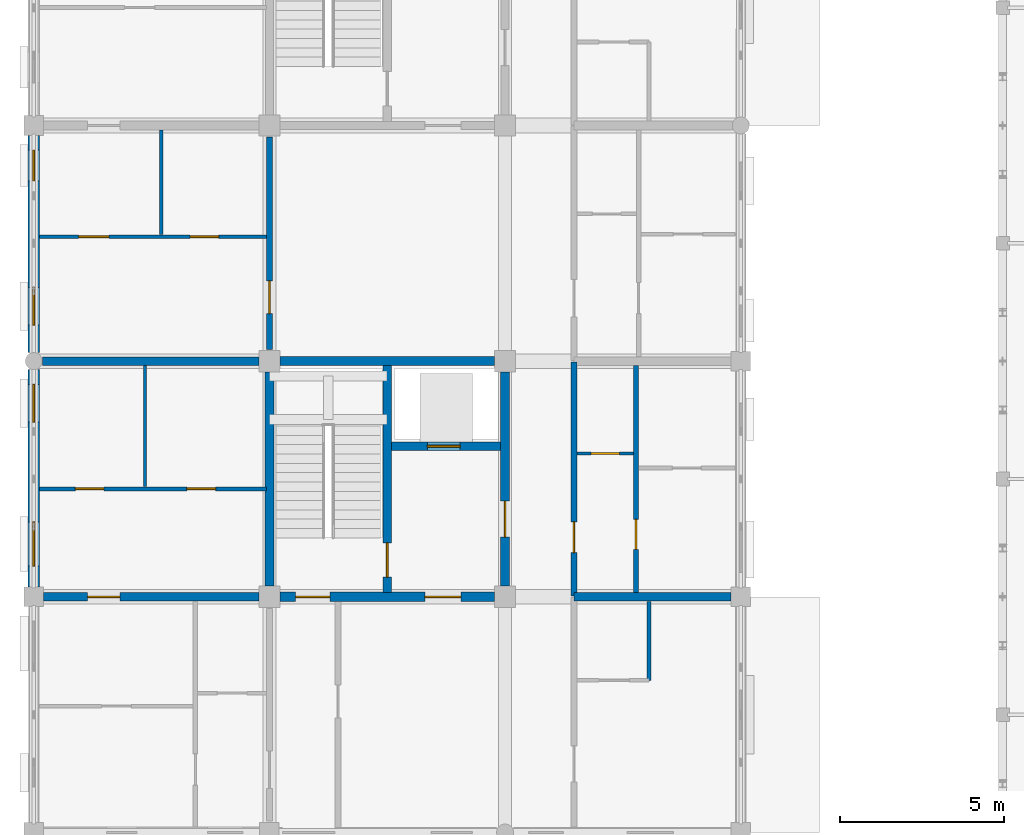
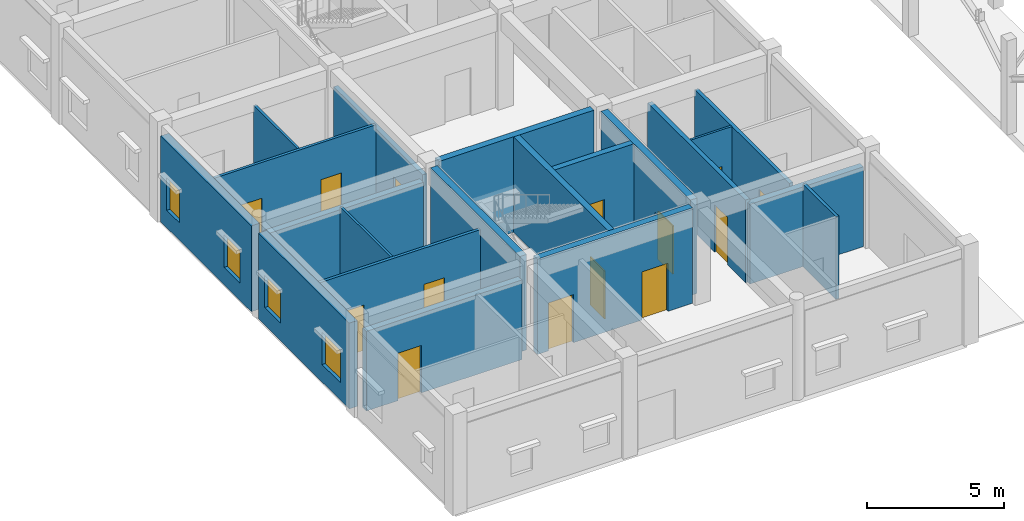
# One storey, part 105 of 138: 20 walls, 14 doors, 4 windows, 18 openings.
"""IFC4 building model written with IfcOpenShell, lengths in metres."""

from ifc_helpers import new_model, si_unit, direction, frame, frame_2d, origin, place, context, subcontext, project, spatial, rectangle, extrude, material, layer, layer_set, type_object, element, fill, save


model = new_model("IFC4")

# Units and contexts
model_context = context("Model", 3, precision=1e-05, world=origin(), true_north=direction((0.0, 1.0)))
body_context = subcontext(model_context, "Body", "Model", "MODEL_VIEW")
ifc_project = project(units=[si_unit("LENGTHUNIT", "METRE"), si_unit("AREAUNIT", "SQUARE_METRE"), si_unit("VOLUMEUNIT", "CUBIC_METRE"), si_unit("PLANEANGLEUNIT", "RADIAN"), si_unit("MASSUNIT", "GRAM", prefix="KILO"), si_unit("THERMODYNAMICTEMPERATUREUNIT", "KELVIN"), si_unit("POWERUNIT", "WATT")], contexts=[model_context])

# Site, building, storey
site_placement = place(None, origin())
site = spatial("IfcSite", under=ifc_project, at=site_placement, CompositionType="ELEMENT")
building_placement = place(site_placement, origin())
building = spatial("IfcBuilding", under=site, at=building_placement, Name="Tavuni Mirador Residences", CompositionType="ELEMENT")
storey_placement = place(building_placement, origin())
storey = spatial("IfcBuildingStorey", under=building, at=storey_placement, Name="L00", CompositionType="ELEMENT", Elevation=0.0)

# Wall, opening, door
ifc_material_1 = material(Name="Precast concrete C40/50", Category="concrete")
ifc_layer_1 = layer(ifc_material_1, 0.25, Name="Precast concrete C40/50", Category="concrete")
ifc_layer_set_1 = layer_set([ifc_layer_1], Name="Precast concrete C40/50")
wall_type_1 = type_object("IfcWallType", Name="WT-COR250", PredefinedType="SHEAR", material=ifc_layer_set_1)
wall_1_placement = place(storey_placement, frame((14.39990234375, 72.139892578125, 0.0), z_axis=(0.0, 0.0, 1.0), x_axis=(0.0, 1.0, 0.0)))
wall_1 = element("IfcWall", 1, at=wall_1_placement, inside=storey, type_object=wall_type_1, Name="CWALL-C3-L00-MID", PredefinedType="SHEAR", context=body_context, shape_type="SweptSolid", body=[
    extrude(rectangle(XDim=6.920166015625, YDim=0.25, at=frame_2d((3.4599609375, 0.0))), origin(), (0.0, 0.0, 1.0), 4.260009765625),
])
opening_1_placement = place(wall_1_placement, frame((0.4599609375, 0.0, 0.0)))
opening_1 = element("IfcOpeningElement", 2, at=opening_1_placement, cuts=wall_1, Name="Opening D-01", PredefinedType="OPENING", context=body_context, shape_type="SweptSolid", body=[
    extrude(rectangle(XDim=1.050048828125, YDim=2.14990234375, at=frame_2d((0.52490234375, 1.074951171875))), frame((0.0, 0.135009765625, 0.0), z_axis=(0.0, -1.0, 0.0), x_axis=(1.0, 0.0, 0.0)), (0.0, 0.0, 1.0), 0.27001953125),
])
ifc_material_2 = material(Name="Solid core iroko timber", Category="wood")
door_type_1 = type_object("IfcDoorType", Name="DT-ST1050", OperationType="NOTDEFINED", PredefinedType="DOOR", material=ifc_material_2)
door_1_placement = place(opening_1_placement, frame((1.050048828125, 0.0, 0.0), z_axis=(0.0, 0.0, 1.0), x_axis=(-1.0, 0.0, 0.0)))
door_1 = element("IfcDoor", 3, at=door_1_placement, inside=storey, type_object=door_type_1, Name="DR-2113", OperationType="SINGLE_SWING_LEFT", OverallHeight=2.14990234375, OverallWidth=1.050048828125, PredefinedType="DOOR", context=body_context, shape_type="SweptSolid", body=[
    extrude(rectangle(XDim=1.050048828125, YDim=2.14990234375, at=frame_2d((0.52490234375, 1.074951171875))), frame((0.0, 0.02490234375, 0.0), z_axis=(0.0, -1.0, 0.0), x_axis=(1.0, 0.0, 0.0)), (0.0, 0.0, 1.0), 0.050048828125),
])
fill(opening_1, door_1)

wall_2_placement = place(storey_placement, frame((14.52490234375, 76.60009765625, 0.0), z_axis=(0.0, 0.0, 1.0), x_axis=(1.0, 0.0, 0.0)))
wall_2 = element("IfcWall", 4, at=wall_2_placement, inside=storey, type_object=wall_type_1, Name="CWALL-C3-L00-SHF", PredefinedType="SHEAR", context=body_context, shape_type="SweptSolid", body=[
    extrude(rectangle(XDim=3.335205078125, YDim=0.25, at=frame_2d((1.66748046875, 0.0))), origin(), (0.0, 0.0, 1.0), 4.260009765625),
])
opening_2_placement = place(wall_2_placement, frame((1.10009765625, 0.0, 0.0)))
opening_2 = element("IfcOpeningElement", 5, at=opening_2_placement, cuts=wall_2, Name="Opening LD-02", PredefinedType="OPENING", context=body_context, shape_type="SweptSolid", body=[
    extrude(rectangle(XDim=1.0, YDim=2.199951171875, at=frame_2d((0.5, 1.10009765625))), frame((0.0, 0.135009765625, 0.0), z_axis=(0.0, -1.0, 0.0), x_axis=(1.0, 0.0, 0.0)), (0.0, 0.0, 1.0), 0.27001953125),
])
ifc_material_3 = material(Name="Structural steel S355", Category="steel")
door_type_2 = type_object("IfcDoorType", Name="DT-LD-PAX", OperationType="SLIDING_TO_LEFT", PredefinedType="DOOR", material=ifc_material_3)
door_2_placement = place(opening_2_placement, origin())
door_2 = element("IfcDoor", 6, at=door_2_placement, inside=storey, type_object=door_type_2, Name="Lift landing door PL-B1 L00", OperationType="SLIDING_TO_LEFT", OverallHeight=2.199951171875, OverallWidth=1.0, PredefinedType="DOOR", context=body_context, shape_type="SweptSolid", body=[
    extrude(rectangle(XDim=1.0, YDim=2.199951171875, at=frame_2d((0.5, 1.10009765625))), frame((0.0, 0.02490234375, 0.0), z_axis=(0.0, -1.0, 0.0), x_axis=(1.0, 0.0, 0.0)), (0.0, 0.0, 1.0), 0.050048828125),
])
fill(opening_2, door_2)

# Walls
ifc_layer_2 = layer(ifc_material_1, 0.280029296875, Name="Precast concrete C40/50", Category="concrete")
ifc_layer_set_2 = layer_set([ifc_layer_2], Name="Precast concrete C40/50")
wall_type_2 = type_object("IfcWallType", Name="WT-COR280", PredefinedType="SHEAR", material=ifc_layer_set_2)
for number, where, z_axis, x_axis, name in (
    (7, (10.800048828125, 72.324951171875, 0.0), (0.0, 0.0, 1.0), (0.0, 1.0, 0.0), "CWALL-C3-L00-W"),
    (8, (11.125, 79.199951171875, 0.0), (0.0, 0.0, 1.0), (1.0, 0.0, 0.0), "CWALL-C3-L00-N"),
):
    element("IfcWall", number, at=place(storey_placement, frame(where, z_axis=z_axis, x_axis=x_axis)), inside=storey, type_object=wall_type_2, Name=name, PredefinedType="SHEAR", context=body_context, shape_type="SweptSolid", body=[
        extrude(rectangle(XDim=6.550048828125, YDim=0.280029296875, at=frame_2d((3.27490234375, 0.0))), origin(), (0.0, 0.0, 1.0), 4.260009765625),
    ])

# Wall, opening, door
wall_3_placement = place(storey_placement, frame((18.0, 72.324951171875, 0.0), z_axis=(0.0, 0.0, 1.0), x_axis=(0.0, 1.0, 0.0)))
wall_3 = element("IfcWall", 9, at=wall_3_placement, inside=storey, type_object=wall_type_2, Name="CWALL-C3-L00-E", PredefinedType="SHEAR", context=body_context, shape_type="SweptSolid", body=[
    extrude(rectangle(XDim=6.550048828125, YDim=0.280029296875, at=frame_2d((3.27490234375, 0.0))), origin(), (0.0, 0.0, 1.0), 4.260009765625),
])
opening_3_placement = place(wall_3_placement, frame((1.5, 0.0, 0.0)))
opening_3 = element("IfcOpeningElement", 10, at=opening_3_placement, cuts=wall_3, Name="Opening D-02", PredefinedType="OPENING", context=body_context, shape_type="SweptSolid", body=[
    extrude(rectangle(XDim=1.10009765625, YDim=2.14990234375, at=frame_2d((0.550048828125, 1.074951171875))), frame((0.0, 0.14990234375, 0.0), z_axis=(0.0, -1.0, 0.0), x_axis=(1.0, 0.0, 0.0)), (0.0, 0.0, 1.0), 0.300048828125),
])
door_type_3 = type_object("IfcDoorType", Name="DT-LOB1100", OperationType="NOTDEFINED", PredefinedType="DOOR", material=ifc_material_2)
door_3_placement = place(opening_3_placement, frame((1.10009765625, 0.0, 0.0), z_axis=(0.0, 0.0, 1.0), x_axis=(-1.0, 0.0, 0.0)))
door_3 = element("IfcDoor", 11, at=door_3_placement, inside=storey, type_object=door_type_3, Name="DR-2111", OperationType="SINGLE_SWING_RIGHT", OverallHeight=2.14990234375, OverallWidth=1.10009765625, PredefinedType="DOOR", context=body_context, shape_type="SweptSolid", body=[
    extrude(rectangle(XDim=1.10009765625, YDim=2.14990234375, at=frame_2d((0.550048828125, 1.074951171875))), frame((0.0, 0.02490234375, 0.0), z_axis=(0.0, -1.0, 0.0), x_axis=(1.0, 0.0, 0.0)), (0.0, 0.0, 1.0), 0.050048828125),
])
fill(opening_3, door_3)

# Wall, openings, doors
wall_4_placement = place(storey_placement, frame((11.125, 72.0, 0.0), z_axis=(0.0, 0.0, 1.0), x_axis=(1.0, 0.0, 0.0)))
wall_4 = element("IfcWall", 12, at=wall_4_placement, inside=storey, type_object=wall_type_2, Name="CWALL-C3-L00-SS", PredefinedType="SHEAR", context=body_context, shape_type="SweptSolid", body=[
    extrude(rectangle(XDim=6.550048828125, YDim=0.280029296875, at=frame_2d((3.27490234375, 0.0))), origin(), (0.0, 0.0, 1.0), 4.260009765625),
])
opening_4_placement = place(wall_4_placement, frame((4.425048828125, 0.0, 0.0)))
opening_4 = element("IfcOpeningElement", 13, at=opening_4_placement, cuts=wall_4, Name="Opening D-02", PredefinedType="OPENING", context=body_context, shape_type="SweptSolid", body=[
    extrude(rectangle(XDim=1.10009765625, YDim=2.14990234375, at=frame_2d((0.550048828125, 1.074951171875))), frame((0.0, 0.14990234375, 0.0), z_axis=(0.0, -1.0, 0.0), x_axis=(1.0, 0.0, 0.0)), (0.0, 0.0, 1.0), 0.300048828125),
])
opening_5_placement = place(wall_4_placement, frame((0.47509765625, 0.0, 0.0)))
opening_5 = element("IfcOpeningElement", 14, at=opening_5_placement, cuts=wall_4, Name="Opening D-01", PredefinedType="OPENING", context=body_context, shape_type="SweptSolid", body=[
    extrude(rectangle(XDim=1.050048828125, YDim=2.14990234375, at=frame_2d((0.52490234375, 1.074951171875))), frame((0.0, 0.14990234375, 0.0), z_axis=(0.0, -1.0, 0.0), x_axis=(1.0, 0.0, 0.0)), (0.0, 0.0, 1.0), 0.300048828125),
])
door_4_placement = place(opening_4_placement, frame((1.10009765625, 0.0, 0.0), z_axis=(0.0, 0.0, 1.0), x_axis=(-1.0, 0.0, 0.0)))
door_4 = element("IfcDoor", 15, at=door_4_placement, inside=storey, type_object=door_type_3, Name="DR-2112", OperationType="SINGLE_SWING_RIGHT", OverallHeight=2.14990234375, OverallWidth=1.10009765625, PredefinedType="DOOR", context=body_context, shape_type="SweptSolid", body=[
    extrude(rectangle(XDim=1.10009765625, YDim=2.14990234375, at=frame_2d((0.550048828125, 1.074951171875))), frame((0.0, 0.02490234375, 0.0), z_axis=(0.0, -1.0, 0.0), x_axis=(1.0, 0.0, 0.0)), (0.0, 0.0, 1.0), 0.050048828125),
])
fill(opening_4, door_4)
door_5_placement = place(opening_5_placement, frame((1.050048828125, 0.0, 0.0), z_axis=(0.0, 0.0, 1.0), x_axis=(-1.0, 0.0, 0.0)))
door_5 = element("IfcDoor", 16, at=door_5_placement, inside=storey, type_object=door_type_1, Name="DR-4836", OperationType="SINGLE_SWING_LEFT", OverallHeight=2.14990234375, OverallWidth=1.050048828125, PredefinedType="DOOR", context=body_context, shape_type="SweptSolid", body=[
    extrude(rectangle(XDim=1.050048828125, YDim=2.14990234375, at=frame_2d((0.52490234375, 1.074951171875))), frame((0.0, 0.02490234375, 0.0), z_axis=(0.0, -1.0, 0.0), x_axis=(1.0, 0.0, 0.0)), (0.0, 0.0, 1.0), 0.050048828125),
])
fill(opening_5, door_5)

# Wall, opening, door
ifc_layer_3 = layer(ifc_material_1, 0.18505859375, Name="Precast concrete C40/50", Category="concrete")
ifc_layer_set_3 = layer_set([ifc_layer_3], Name="Precast concrete C40/50")
wall_type_3 = type_object("IfcWallType", Name="WT-CORR185", PredefinedType="PARTITIONING", material=ifc_layer_set_3)
wall_5_placement = place(storey_placement, frame((20.10009765625, 72.02001953125, 0.0), z_axis=(0.0, 0.0, 1.0), x_axis=(0.0, 1.0, 0.0)))
wall_5 = element("IfcWall", 17, at=wall_5_placement, inside=storey, type_object=wall_type_3, Name="CORW-BLK-B-L00-0-01", PredefinedType="PARTITIONING", context=body_context, shape_type="SweptSolid", body=[
    extrude(rectangle(XDim=7.159912109375, YDim=0.18505859375, at=frame_2d((3.580078125, 0.0))), origin(), (0.0, 0.0, 1.0), 3.695068359375),
])
opening_6_placement = place(wall_5_placement, frame((1.330078125, 0.0, 0.0)))
opening_6 = element("IfcOpeningElement", 18, at=opening_6_placement, cuts=wall_5, Name="Opening D-19", PredefinedType="OPENING", context=body_context, shape_type="SweptSolid", body=[
    extrude(rectangle(XDim=0.93994140625, YDim=2.1201171875, at=frame_2d((0.469970703125, 1.06005859375))), frame((0.0, 0.1025390625, 0.0), z_axis=(0.0, -1.0, 0.0), x_axis=(1.0, 0.0, 0.0)), (0.0, 0.0, 1.0), 0.205078125),
])
door_type_4 = type_object("IfcDoorType", Name="DT-FD60-940", OperationType="NOTDEFINED", PredefinedType="DOOR", material=ifc_material_2)
door_6_placement = place(opening_6_placement, origin())
door_6 = element("IfcDoor", 19, at=door_6_placement, inside=storey, type_object=door_type_4, Name="DR-2530", OperationType="SINGLE_SWING_LEFT", OverallHeight=2.1201171875, OverallWidth=0.93994140625, PredefinedType="DOOR", context=body_context, shape_type="SweptSolid", body=[
    extrude(rectangle(XDim=0.93994140625, YDim=2.1201171875, at=frame_2d((0.469970703125, 1.06005859375))), frame((0.0, 0.02490234375, 0.0), z_axis=(0.0, -1.0, 0.0), x_axis=(1.0, 0.0, 0.0)), (0.0, 0.0, 1.0), 0.050048828125),
])
fill(opening_6, door_6)

wall_6_placement = place(storey_placement, frame((10.800048828125, 79.550048828125, 0.0), z_axis=(0.0, 0.0, 1.0), x_axis=(0.0, 1.0, 0.0)))
wall_6 = element("IfcWall", 20, at=wall_6_placement, inside=storey, type_object=wall_type_3, Name="CORW-BLK-B-L00-1-02", PredefinedType="PARTITIONING", context=body_context, shape_type="SweptSolid", body=[
    extrude(rectangle(XDim=6.5, YDim=0.18505859375, at=frame_2d((3.25, 0.0))), origin(), (0.0, 0.0, 1.0), 3.510009765625),
])
opening_7_placement = place(wall_6_placement, frame((1.10009765625, 0.0, 0.0)))
opening_7 = element("IfcOpeningElement", 21, at=opening_7_placement, cuts=wall_6, Name="Opening D-03", PredefinedType="OPENING", context=body_context, shape_type="SweptSolid", body=[
    extrude(rectangle(XDim=1.0, YDim=2.14990234375, at=frame_2d((0.5, 1.074951171875))), frame((0.0, 0.1025390625, 0.0), z_axis=(0.0, -1.0, 0.0), x_axis=(1.0, 0.0, 0.0)), (0.0, 0.0, 1.0), 0.205078125),
])
door_type_5 = type_object("IfcDoorType", Name="DT-FD60-1000", OperationType="NOTDEFINED", PredefinedType="DOOR", material=ifc_material_2)
door_7_placement = place(opening_7_placement, origin())
door_7 = element("IfcDoor", 22, at=door_7_placement, inside=storey, type_object=door_type_5, Name="DR-2535", OperationType="SINGLE_SWING_RIGHT", OverallHeight=2.14990234375, OverallWidth=1.0, PredefinedType="DOOR", context=body_context, shape_type="SweptSolid", body=[
    extrude(rectangle(XDim=1.0, YDim=2.14990234375, at=frame_2d((0.5, 1.074951171875))), frame((0.0, 0.02490234375, 0.0), z_axis=(0.0, -1.0, 0.0), x_axis=(1.0, 0.0, 0.0)), (0.0, 0.0, 1.0), 0.050048828125),
])
fill(opening_7, door_7)

# Wall, openings, windows
ifc_material_4 = material(Name="Sgraffito lime-rendered precast concrete C40/50", Category="concrete")
ifc_layer_4 = layer(ifc_material_4, 0.344970703125, Name="Sgraffito lime-rendered precast concrete C40/50", Category="concrete")
ifc_layer_set_4 = layer_set([ifc_layer_4], Name="Sgraffito lime-rendered precast concrete C40/50")
wall_type_4 = type_object("IfcWallType", Name="WT-EXT-PTY345", PredefinedType="SOLIDWALL", material=ifc_layer_set_4)
wall_7_placement = place(storey_placement, frame((3.60009765625, 86.10009765625, 0.0), z_axis=(0.0, 0.0, 1.0), x_axis=(0.0, -1.0, 0.0)))
wall_7 = element("IfcWall", 23, at=wall_7_placement, inside=storey, type_object=wall_type_4, Name="EW-BLK-B-L00-W02", PredefinedType="SOLIDWALL", context=body_context, shape_type="SweptSolid", body=[
    extrude(rectangle(XDim=6.64013671875, YDim=0.344970703125, at=frame_2d((3.320068359375, 0.0))), origin(), (0.0, 0.0, 1.0), 3.830078125),
])
opening_8_placement = place(wall_7_placement, frame((0.449951171875, 0.0, 0.780029296875)))
opening_8 = element("IfcOpeningElement", 24, at=opening_8_placement, cuts=wall_7, Name="Opening WN-25", PredefinedType="OPENING", context=body_context, shape_type="SweptSolid", body=[
    extrude(rectangle(XDim=0.93994140625, YDim=1.43994140625, at=frame_2d((0.469970703125, 0.719970703125))), frame((0.0, 0.1826171875, 0.0), z_axis=(0.0, -1.0, 0.0), x_axis=(1.0, 0.0, 0.0)), (0.0, 0.0, 1.0), 0.364990234375),
])
opening_9_placement = place(wall_7_placement, frame((4.64990234375, 0.0, 0.780029296875)))
opening_9 = element("IfcOpeningElement", 25, at=opening_9_placement, cuts=wall_7, Name="Opening WN-27", PredefinedType="OPENING", context=body_context, shape_type="SweptSolid", body=[
    extrude(rectangle(XDim=1.14990234375, YDim=1.43994140625, at=frame_2d((0.574951171875, 0.719970703125))), frame((0.0, 0.1826171875, 0.0), z_axis=(0.0, -1.0, 0.0), x_axis=(1.0, 0.0, 0.0)), (0.0, 0.0, 1.0), 0.364990234375),
])
ifc_material_5 = material(Name="Laminated solar-control glass", Category="glass")
window_type_1 = type_object("IfcWindowType", Name="WNT-25", PartitioningType="SINGLE_PANEL", PredefinedType="WINDOW", material=ifc_material_5)
window_1_placement = place(opening_8_placement, origin())
window_1 = element("IfcWindow", 26, at=window_1_placement, inside=storey, type_object=window_type_1, Name="WIN-0564", OverallHeight=1.43994140625, OverallWidth=0.93994140625, PartitioningType="SINGLE_PANEL", PredefinedType="WINDOW", context=body_context, shape_type="SweptSolid", body=[
    extrude(rectangle(XDim=0.93994140625, YDim=1.43994140625, at=frame_2d((0.469970703125, 0.719970703125))), frame((0.0, 0.030029296875, 0.0), z_axis=(0.0, -1.0, 0.0), x_axis=(1.0, 0.0, 0.0)), (0.0, 0.0, 1.0), 0.06005859375),
])
fill(opening_8, window_1)
window_type_2 = type_object("IfcWindowType", Name="WNT-27", PartitioningType="SINGLE_PANEL", PredefinedType="WINDOW", material=ifc_material_5)
window_2_placement = place(opening_9_placement, origin())
window_2 = element("IfcWindow", 27, at=window_2_placement, inside=storey, type_object=window_type_2, Name="WIN-0565", OverallHeight=1.43994140625, OverallWidth=1.14990234375, PartitioningType="SINGLE_PANEL", PredefinedType="WINDOW", context=body_context, shape_type="SweptSolid", body=[
    extrude(rectangle(XDim=1.14990234375, YDim=1.43994140625, at=frame_2d((0.574951171875, 0.719970703125))), frame((0.0, 0.030029296875, 0.0), z_axis=(0.0, -1.0, 0.0), x_axis=(1.0, 0.0, 0.0)), (0.0, 0.0, 1.0), 0.06005859375),
])
fill(opening_9, window_2)

wall_8_placement = place(storey_placement, frame((3.60009765625, 78.93994140625, 0.0), z_axis=(0.0, 0.0, 1.0), x_axis=(0.0, -1.0, 0.0)))
wall_8 = element("IfcWall", 28, at=wall_8_placement, inside=storey, type_object=wall_type_4, Name="EW-BLK-B-L00-W01", PredefinedType="SOLIDWALL", context=body_context, shape_type="SweptSolid", body=[
    extrude(rectangle(XDim=6.639892578125, YDim=0.344970703125, at=frame_2d((3.31982421875, 0.0))), origin(), (0.0, 0.0, 1.0), 3.830078125),
])
opening_10_placement = place(wall_8_placement, frame((0.449951171875, 0.0, 0.780029296875)))
opening_10 = element("IfcOpeningElement", 29, at=opening_10_placement, cuts=wall_8, Name="Opening WN-27", PredefinedType="OPENING", context=body_context, shape_type="SweptSolid", body=[
    extrude(rectangle(XDim=1.14990234375, YDim=1.43994140625, at=frame_2d((0.574951171875, 0.719970703125))), frame((0.0, 0.1826171875, 0.0), z_axis=(0.0, -1.0, 0.0), x_axis=(1.0, 0.0, 0.0)), (0.0, 0.0, 1.0), 0.364990234375),
])
opening_11_placement = place(wall_8_placement, frame((4.64990234375, 0.0, 0.780029296875)))
opening_11 = element("IfcOpeningElement", 30, at=opening_11_placement, cuts=wall_8, Name="Opening WN-29", PredefinedType="OPENING", context=body_context, shape_type="SweptSolid", body=[
    extrude(rectangle(XDim=1.35009765625, YDim=1.43994140625, at=frame_2d((0.675048828125, 0.719970703125))), frame((0.0, 0.1826171875, 0.0), z_axis=(0.0, -1.0, 0.0), x_axis=(1.0, 0.0, 0.0)), (0.0, 0.0, 1.0), 0.364990234375),
])
window_3_placement = place(opening_10_placement, origin())
window_3 = element("IfcWindow", 31, at=window_3_placement, inside=storey, type_object=window_type_2, Name="WIN-0566", OverallHeight=1.43994140625, OverallWidth=1.14990234375, PartitioningType="SINGLE_PANEL", PredefinedType="WINDOW", context=body_context, shape_type="SweptSolid", body=[
    extrude(rectangle(XDim=1.14990234375, YDim=1.43994140625, at=frame_2d((0.574951171875, 0.719970703125))), frame((0.0, 0.030029296875, 0.0), z_axis=(0.0, -1.0, 0.0), x_axis=(1.0, 0.0, 0.0)), (0.0, 0.0, 1.0), 0.06005859375),
])
fill(opening_10, window_3)
window_type_3 = type_object("IfcWindowType", Name="WNT-29", PartitioningType="SINGLE_PANEL", PredefinedType="WINDOW", material=ifc_material_5)
window_4_placement = place(opening_11_placement, origin())
window_4 = element("IfcWindow", 32, at=window_4_placement, inside=storey, type_object=window_type_3, Name="WIN-0567", OverallHeight=1.43994140625, OverallWidth=1.35009765625, PartitioningType="SINGLE_PANEL", PredefinedType="WINDOW", context=body_context, shape_type="SweptSolid", body=[
    extrude(rectangle(XDim=1.35009765625, YDim=1.43994140625, at=frame_2d((0.675048828125, 0.719970703125))), frame((0.0, 0.030029296875, 0.0), z_axis=(0.0, -1.0, 0.0), x_axis=(1.0, 0.0, 0.0)), (0.0, 0.0, 1.0), 0.06005859375),
])
fill(opening_11, window_4)

# Wall
ifc_material_6 = material(Name="Acoustic gypsum and concrete block partition", Category="concrete")
ifc_layer_5 = layer(ifc_material_6, 0.094970703125, Name="Acoustic gypsum and concrete block partition", Category="concrete")
ifc_layer_set_5 = layer_set([ifc_layer_5], Name="Acoustic gypsum and concrete block partition")
wall_type_5 = type_object("IfcWallType", Name="WT-PART095", PredefinedType="PARTITIONING", material=ifc_layer_set_5)
wall_9_placement = place(storey_placement, frame((7.0, 75.3701171875, 0.0), z_axis=(0.0, 0.0, 1.0), x_axis=(0.0, 1.0, 0.0)))
element("IfcWall", 33, at=wall_9_placement, inside=storey, type_object=wall_type_5, Name="PW-BLK-B-L00-PF01-V", PredefinedType="PARTITIONING", context=body_context, shape_type="SweptSolid", body=[
    extrude(rectangle(XDim=3.68994140625, YDim=0.094970703125, at=frame_2d((1.844970703125, 0.0))), origin(), (0.0, 0.0, 1.0), 3.695068359375),
])

# Wall, opening, door
wall_10_placement = place(storey_placement, frame((20.18994140625, 76.3798828125, 0.0), z_axis=(0.0, 0.0, 1.0), x_axis=(1.0, 0.0, 0.0)))
wall_10 = element("IfcWall", 34, at=wall_10_placement, inside=storey, type_object=wall_type_5, Name="PW-BLK-B-L00-E01-IN1", PredefinedType="PARTITIONING", context=body_context, shape_type="SweptSolid", body=[
    extrude(rectangle(XDim=1.739990234375, YDim=0.094970703125, at=frame_2d((0.8701171875, 0.0))), origin(), (0.0, 0.0, 1.0), 3.695068359375),
])
opening_12_placement = place(wall_10_placement, frame((0.43505859375, 0.0, 0.0)))
opening_12 = element("IfcOpeningElement", 35, at=opening_12_placement, cuts=wall_10, Name="Opening D-10", PredefinedType="OPENING", context=body_context, shape_type="SweptSolid", body=[
    extrude(rectangle(XDim=0.8701171875, YDim=2.050048828125, at=frame_2d((0.43505859375, 1.02490234375))), frame((0.0, 0.0576171875, 0.0), z_axis=(0.0, -1.0, 0.0), x_axis=(1.0, 0.0, 0.0)), (0.0, 0.0, 1.0), 0.114990234375),
])
door_type_6 = type_object("IfcDoorType", Name="DT-WC870", OperationType="NOTDEFINED", PredefinedType="DOOR", material=ifc_material_2)
door_8_placement = place(opening_12_placement, origin())
door_8 = element("IfcDoor", 36, at=door_8_placement, inside=storey, type_object=door_type_6, Name="DR-3431", OperationType="SINGLE_SWING_LEFT", OverallHeight=2.050048828125, OverallWidth=0.8701171875, PredefinedType="DOOR", context=body_context, shape_type="SweptSolid", body=[
    extrude(rectangle(XDim=0.8701171875, YDim=2.050048828125, at=frame_2d((0.43505859375, 1.02490234375))), frame((0.0, 0.02490234375, 0.0), z_axis=(0.0, -1.0, 0.0), x_axis=(1.0, 0.0, 0.0)), (0.0, 0.0, 1.0), 0.050048828125),
])
fill(opening_12, door_8)

# Wall
ifc_layer_6 = layer(ifc_material_6, 0.10498046875, Name="Acoustic gypsum and concrete block partition", Category="concrete")
ifc_layer_set_6 = layer_set([ifc_layer_6], Name="Acoustic gypsum and concrete block partition")
wall_type_6 = type_object("IfcWallType", Name="WT-PART105", PredefinedType="PARTITIONING", material=ifc_layer_set_6)
wall_11_placement = place(storey_placement, frame((7.5, 83.070068359375, 0.0), z_axis=(0.0, 0.0, 1.0), x_axis=(0.0, 1.0, 0.0)))
element("IfcWall", 37, at=wall_11_placement, inside=storey, type_object=wall_type_6, Name="PW-BLK-B-L00-PF02-V", PredefinedType="PARTITIONING", context=body_context, shape_type="SweptSolid", body=[
    extrude(rectangle(XDim=3.18994140625, YDim=0.10498046875, at=frame_2d((1.594970703125, 0.0))), origin(), (0.0, 0.0, 1.0), 3.695068359375),
])

# Wall, openings, doors
ifc_layer_7 = layer(ifc_material_6, 0.114990234375, Name="Acoustic gypsum and concrete block partition", Category="concrete")
ifc_layer_set_7 = layer_set([ifc_layer_7], Name="Acoustic gypsum and concrete block partition")
wall_type_7 = type_object("IfcWallType", Name="WT-PART115", PredefinedType="PARTITIONING", material=ifc_layer_set_7)
wall_12_placement = place(storey_placement, frame((3.77490234375, 83.0, 0.0), z_axis=(0.0, 0.0, 1.0), x_axis=(1.0, 0.0, 0.0)))
wall_12 = element("IfcWall", 38, at=wall_12_placement, inside=storey, type_object=wall_type_7, Name="PW-BLK-B-L00-PF02-H", PredefinedType="PARTITIONING", context=body_context, shape_type="SweptSolid", body=[
    extrude(rectangle(XDim=6.93505859375, YDim=0.114990234375, at=frame_2d((3.467529296875, 0.0))), origin(), (0.0, 0.0, 1.0), 3.695068359375),
])
opening_13_placement = place(wall_12_placement, frame((4.60009765625, 0.0, 0.0)))
opening_13 = element("IfcOpeningElement", 39, at=opening_13_placement, cuts=wall_12, Name="Opening D-10", PredefinedType="OPENING", context=body_context, shape_type="SweptSolid", body=[
    extrude(rectangle(XDim=0.8701171875, YDim=2.050048828125, at=frame_2d((0.43505859375, 1.02490234375))), frame((0.0, 0.0673828125, 0.0), z_axis=(0.0, -1.0, 0.0), x_axis=(1.0, 0.0, 0.0)), (0.0, 0.0, 1.0), 0.135009765625),
])
opening_14_placement = place(wall_12_placement, frame((1.199951171875, 0.0, 0.0)))
opening_14 = element("IfcOpeningElement", 40, at=opening_14_placement, cuts=wall_12, Name="Opening D-06", PredefinedType="OPENING", context=body_context, shape_type="SweptSolid", body=[
    extrude(rectangle(XDim=0.919921875, YDim=2.10009765625, at=frame_2d((0.4599609375, 1.050048828125))), frame((0.0, 0.0673828125, 0.0), z_axis=(0.0, -1.0, 0.0), x_axis=(1.0, 0.0, 0.0)), (0.0, 0.0, 1.0), 0.135009765625),
])
door_type_7 = type_object("IfcDoorType", Name="DT-INT920", OperationType="NOTDEFINED", PredefinedType="DOOR", material=ifc_material_2)
door_9_placement = place(opening_14_placement, origin())
door_9 = element("IfcDoor", 41, at=door_9_placement, inside=storey, type_object=door_type_7, Name="DR-3434", OperationType="SINGLE_SWING_RIGHT", OverallHeight=2.10009765625, OverallWidth=0.919921875, PredefinedType="DOOR", context=body_context, shape_type="SweptSolid", body=[
    extrude(rectangle(XDim=0.919921875, YDim=2.10009765625, at=frame_2d((0.4599609375, 1.050048828125))), frame((0.0, 0.02490234375, 0.0), z_axis=(0.0, -1.0, 0.0), x_axis=(1.0, 0.0, 0.0)), (0.0, 0.0, 1.0), 0.050048828125),
])
fill(opening_14, door_9)
door_10_placement = place(opening_13_placement, origin())
door_10 = element("IfcDoor", 42, at=door_10_placement, inside=storey, type_object=door_type_6, Name="DR-3433", OperationType="SINGLE_SWING_LEFT", OverallHeight=2.050048828125, OverallWidth=0.8701171875, PredefinedType="DOOR", context=body_context, shape_type="SweptSolid", body=[
    extrude(rectangle(XDim=0.8701171875, YDim=2.050048828125, at=frame_2d((0.43505859375, 1.02490234375))), frame((0.0, 0.02490234375, 0.0), z_axis=(0.0, -1.0, 0.0), x_axis=(1.0, 0.0, 0.0)), (0.0, 0.0, 1.0), 0.050048828125),
])
fill(opening_13, door_10)

# Wall
ifc_layer_8 = layer(ifc_material_6, 0.125, Name="Acoustic gypsum and concrete block partition", Category="concrete")
ifc_layer_set_8 = layer_set([ifc_layer_8], Name="Acoustic gypsum and concrete block partition")
wall_type_8 = type_object("IfcWallType", Name="WT-PART125", PredefinedType="PARTITIONING", material=ifc_layer_set_8)
wall_13_placement = place(storey_placement, frame((22.39990234375, 69.449951171875, 0.0), z_axis=(0.0, 0.0, 1.0), x_axis=(0.0, 1.0, 0.0)))
element("IfcWall", 43, at=wall_13_placement, inside=storey, type_object=wall_type_8, Name="PW-BLK-B-L00-E00-1", PredefinedType="PARTITIONING", context=body_context, shape_type="SweptSolid", body=[
    extrude(rectangle(XDim=2.41015625, YDim=0.125, at=frame_2d((1.205078125, 0.0))), origin(), (0.0, 0.0, 1.0), 3.695068359375),
])

# Wall, openings, doors
wall_14_placement = place(storey_placement, frame((3.77490234375, 75.300048828125, 0.0), z_axis=(0.0, 0.0, 1.0), x_axis=(1.0, 0.0, 0.0)))
wall_14 = element("IfcWall", 44, at=wall_14_placement, inside=storey, type_object=wall_type_8, Name="PW-BLK-B-L00-PF01-H", PredefinedType="PARTITIONING", context=body_context, shape_type="SweptSolid", body=[
    extrude(rectangle(XDim=6.93505859375, YDim=0.125, at=frame_2d((3.467529296875, 0.0))), origin(), (0.0, 0.0, 1.0), 3.695068359375),
])
opening_15_placement = place(wall_14_placement, frame((1.10009765625, 0.0, 0.0)))
opening_15 = element("IfcOpeningElement", 45, at=opening_15_placement, cuts=wall_14, Name="Opening D-10", PredefinedType="OPENING", context=body_context, shape_type="SweptSolid", body=[
    extrude(rectangle(XDim=0.8701171875, YDim=2.050048828125, at=frame_2d((0.43505859375, 1.02490234375))), frame((0.0, 0.072509765625, 0.0), z_axis=(0.0, -1.0, 0.0), x_axis=(1.0, 0.0, 0.0)), (0.0, 0.0, 1.0), 0.14501953125),
])
opening_16_placement = place(wall_14_placement, frame((4.5, 0.0, 0.0)))
opening_16 = element("IfcOpeningElement", 46, at=opening_16_placement, cuts=wall_14, Name="Opening D-08", PredefinedType="OPENING", context=body_context, shape_type="SweptSolid", body=[
    extrude(rectangle(XDim=0.8798828125, YDim=2.080078125, at=frame_2d((0.43994140625, 1.0400390625))), frame((0.0, 0.072509765625, 0.0), z_axis=(0.0, -1.0, 0.0), x_axis=(1.0, 0.0, 0.0)), (0.0, 0.0, 1.0), 0.14501953125),
])
door_type_8 = type_object("IfcDoorType", Name="DT-BED880", OperationType="NOTDEFINED", PredefinedType="DOOR", material=ifc_material_2)
door_11_placement = place(opening_16_placement, origin())
door_11 = element("IfcDoor", 47, at=door_11_placement, inside=storey, type_object=door_type_8, Name="DR-3429", OperationType="SINGLE_SWING_RIGHT", OverallHeight=2.080078125, OverallWidth=0.8798828125, PredefinedType="DOOR", context=body_context, shape_type="SweptSolid", body=[
    extrude(rectangle(XDim=0.8798828125, YDim=2.080078125, at=frame_2d((0.43994140625, 1.0400390625))), frame((0.0, 0.02490234375, 0.0), z_axis=(0.0, -1.0, 0.0), x_axis=(1.0, 0.0, 0.0)), (0.0, 0.0, 1.0), 0.050048828125),
])
fill(opening_16, door_11)
door_12_placement = place(opening_15_placement, origin())
door_12 = element("IfcDoor", 48, at=door_12_placement, inside=storey, type_object=door_type_6, Name="DR-3428", OperationType="SINGLE_SWING_LEFT", OverallHeight=2.050048828125, OverallWidth=0.8701171875, PredefinedType="DOOR", context=body_context, shape_type="SweptSolid", body=[
    extrude(rectangle(XDim=0.8701171875, YDim=2.050048828125, at=frame_2d((0.43505859375, 1.02490234375))), frame((0.0, 0.02490234375, 0.0), z_axis=(0.0, -1.0, 0.0), x_axis=(1.0, 0.0, 0.0)), (0.0, 0.0, 1.0), 0.050048828125),
])
fill(opening_15, door_12)

# Wall, opening, door
ifc_layer_9 = layer(ifc_material_6, 0.14990234375, Name="Acoustic gypsum and concrete block partition", Category="concrete")
ifc_layer_set_9 = layer_set([ifc_layer_9], Name="Acoustic gypsum and concrete block partition")
wall_type_9 = type_object("IfcWallType", Name="WT-PART150", PredefinedType="PARTITIONING", material=ifc_layer_set_9)
wall_15_placement = place(storey_placement, frame((22.0, 72.139892578125, 0.0), z_axis=(0.0, 0.0, 1.0), x_axis=(0.0, 1.0, 0.0)))
wall_15 = element("IfcWall", 49, at=wall_15_placement, inside=storey, type_object=wall_type_9, Name="PW-BLK-B-L00-E01-MID", PredefinedType="PARTITIONING", context=body_context, shape_type="SweptSolid", body=[
    extrude(rectangle(XDim=6.920166015625, YDim=0.14990234375, at=frame_2d((3.4599609375, 0.0))), origin(), (0.0, 0.0, 1.0), 3.695068359375),
])
opening_17_placement = place(wall_15_placement, frame((1.31005859375, 0.0, 0.0)))
opening_17 = element("IfcOpeningElement", 50, at=opening_17_placement, cuts=wall_15, Name="Opening D-06", PredefinedType="OPENING", context=body_context, shape_type="SweptSolid", body=[
    extrude(rectangle(XDim=0.919921875, YDim=2.10009765625, at=frame_2d((0.4599609375, 1.050048828125))), frame((0.0, 0.0849609375, 0.0), z_axis=(0.0, -1.0, 0.0), x_axis=(1.0, 0.0, 0.0)), (0.0, 0.0, 1.0), 0.169921875),
])
door_13_placement = place(opening_17_placement, origin())
door_13 = element("IfcDoor", 51, at=door_13_placement, inside=storey, type_object=door_type_7, Name="DR-3432", OperationType="SINGLE_SWING_RIGHT", OverallHeight=2.10009765625, OverallWidth=0.919921875, PredefinedType="DOOR", context=body_context, shape_type="SweptSolid", body=[
    extrude(rectangle(XDim=0.919921875, YDim=2.10009765625, at=frame_2d((0.4599609375, 1.050048828125))), frame((0.0, 0.02490234375, 0.0), z_axis=(0.0, -1.0, 0.0), x_axis=(1.0, 0.0, 0.0)), (0.0, 0.0, 1.0), 0.050048828125),
])
fill(opening_17, door_13)

ifc_layer_10 = layer(ifc_material_1, 0.264892578125, Name="Precast concrete C40/50", Category="concrete")
ifc_layer_set_10 = layer_set([ifc_layer_10], Name="Precast concrete C40/50")
wall_type_10 = type_object("IfcWallType", Name="WT-XW265", PredefinedType="SOLIDWALL", material=ifc_layer_set_10)
wall_16_placement = place(storey_placement, frame((3.89990234375, 72.0, 0.0), z_axis=(0.0, 0.0, 1.0), x_axis=(1.0, 0.0, 0.0)))
wall_16 = element("IfcWall", 52, at=wall_16_placement, inside=storey, type_object=wall_type_10, Name="XW-BLK-B-L00-W-01", PredefinedType="SOLIDWALL", context=body_context, shape_type="SweptSolid", body=[
    extrude(rectangle(XDim=6.5751953125, YDim=0.264892578125, at=frame_2d((3.28759765625, 0.0))), origin(), (0.0, 0.0, 1.0), 3.56005859375),
])
opening_18_placement = place(wall_16_placement, frame((1.35009765625, 0.0, 0.0)))
opening_18 = element("IfcOpeningElement", 53, at=opening_18_placement, cuts=wall_16, Name="Opening D-04", PredefinedType="OPENING", context=body_context, shape_type="SweptSolid", body=[
    extrude(rectangle(XDim=0.97998046875, YDim=2.1201171875, at=frame_2d((0.489990234375, 1.06005859375))), frame((0.0, 0.142578125, 0.0), z_axis=(0.0, -1.0, 0.0), x_axis=(1.0, 0.0, 0.0)), (0.0, 0.0, 1.0), 0.284912109375),
])
door_type_9 = type_object("IfcDoorType", Name="DT-FD60-980", OperationType="NOTDEFINED", PredefinedType="DOOR", material=ifc_material_2)
door_14_placement = place(opening_18_placement, origin())
door_14 = element("IfcDoor", 54, at=door_14_placement, inside=storey, type_object=door_type_9, Name="DR-4708", OperationType="SINGLE_SWING_LEFT", OverallHeight=2.1201171875, OverallWidth=0.97998046875, PredefinedType="DOOR", context=body_context, shape_type="SweptSolid", body=[
    extrude(rectangle(XDim=0.97998046875, YDim=2.1201171875, at=frame_2d((0.489990234375, 1.06005859375))), frame((0.0, 0.02490234375, 0.0), z_axis=(0.0, -1.0, 0.0), x_axis=(1.0, 0.0, 0.0)), (0.0, 0.0, 1.0), 0.050048828125),
])
fill(opening_18, door_14)

# Walls
wall_17_placement = place(storey_placement, frame((20.10009765625, 72.0, 0.0), z_axis=(0.0, 0.0, 1.0), x_axis=(1.0, 0.0, 0.0)))
element("IfcWall", 55, at=wall_17_placement, inside=storey, type_object=wall_type_10, Name="XW-BLK-B-L00-E-01", PredefinedType="SOLIDWALL", context=body_context, shape_type="SweptSolid", body=[
    extrude(rectangle(XDim=4.7998046875, YDim=0.264892578125, at=frame_2d((2.39990234375, 0.0))), origin(), (0.0, 0.0, 1.0), 3.56005859375),
])
wall_18_placement = place(storey_placement, frame((3.860107421875, 79.199951171875, 0.0), z_axis=(0.0, 0.0, 1.0), x_axis=(1.0, 0.0, 0.0)))
element("IfcWall", 56, at=wall_18_placement, inside=storey, type_object=wall_type_10, Name="XW-BLK-B-L00-W-02", PredefinedType="SOLIDWALL", context=body_context, shape_type="SweptSolid", body=[
    extrude(rectangle(XDim=6.614990234375, YDim=0.264892578125, at=frame_2d((3.3076171875, 0.0))), origin(), (0.0, 0.0, 1.0), 3.56005859375),
])

save(model, "model.ifc")
